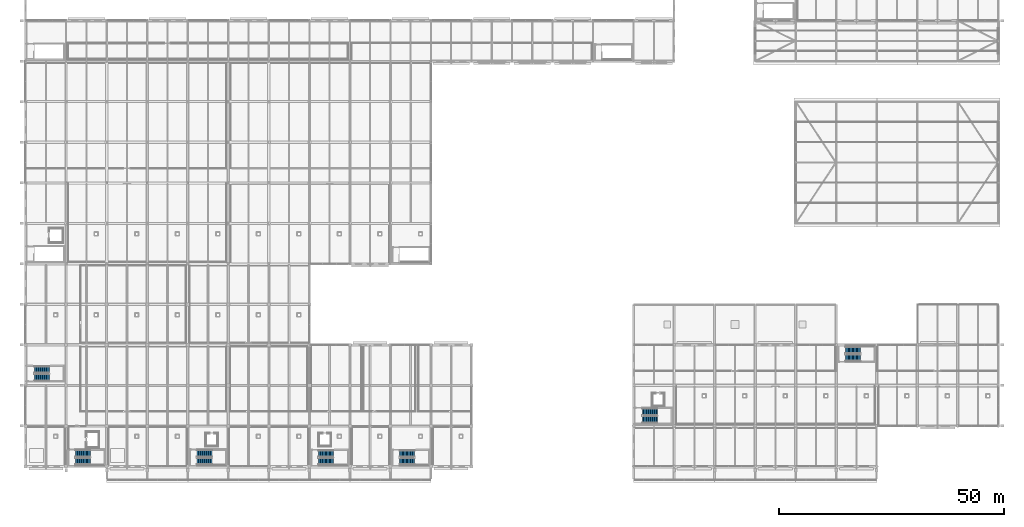
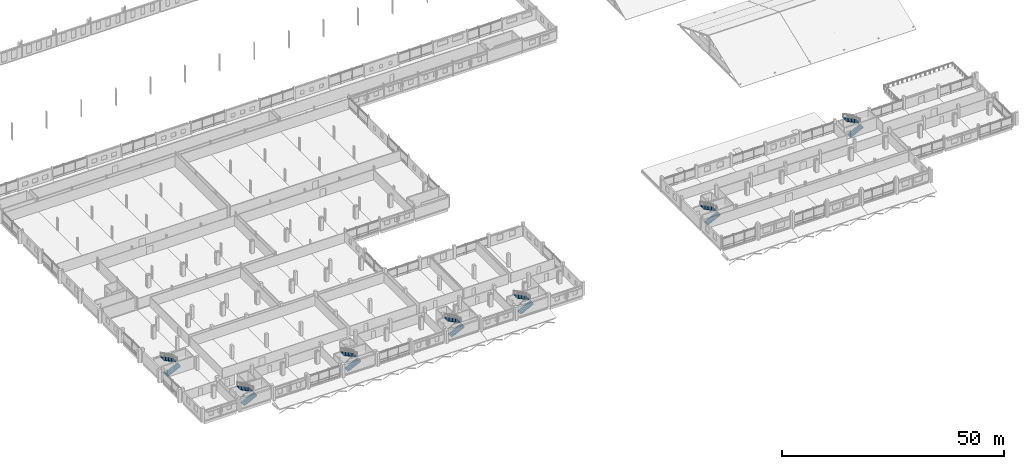
# One storey, part 118 of 132: 14 stair flights, 7 elements without a shape of their own.
"""IFC4 building model written with IfcOpenShell, lengths in metres."""

from ifc_helpers import new_model, si_unit, direction, frame, origin, place, context, subcontext, project, spatial, polyline, outline, extrude, material, type_object, element, aggregate, save


model = new_model("IFC4")

# Units and contexts
model_context = context("Model", 3, precision=1e-05, world=origin(), true_north=direction((0.0, 1.0)))
body_context = subcontext(model_context, "Body", "Model", "MODEL_VIEW")
ifc_project = project(units=[si_unit("LENGTHUNIT", "METRE"), si_unit("AREAUNIT", "SQUARE_METRE"), si_unit("VOLUMEUNIT", "CUBIC_METRE"), si_unit("PLANEANGLEUNIT", "RADIAN"), si_unit("MASSUNIT", "GRAM", prefix="KILO")], contexts=[model_context])

# Site, building, storey
site_placement = place(None, origin())
site = spatial("IfcSite", under=ifc_project, at=site_placement, CompositionType="ELEMENT")
building_placement = place(site_placement, origin())
building = spatial("IfcBuilding", under=site, at=building_placement, Name="Tharagai Park Tramway Depot", CompositionType="ELEMENT")
storey_placement = place(building_placement, frame((0.0, 0.0, 4.800048828125)))
storey = spatial("IfcBuildingStorey", under=building, at=storey_placement, Name="L01", CompositionType="ELEMENT", Elevation=4.800048828125)

# Stair, stair flights
ifc_material = material(Name="Concrete M35", Category="concrete")
stair_type = type_object("IfcStairType", Name="STT-02", PredefinedType="HALF_TURN_STAIR", material=ifc_material)
stair_1_placement = place(storey_placement, origin())
stair_1 = element("IfcStair", 1, at=stair_1_placement, inside=storey, type_object=stair_type, Name="L01 Protected Exit Stair ST-01", PredefinedType="HALF_TURN_STAIR")
stair_flight_type = type_object("IfcStairFlightType", Name="SFT-02", PredefinedType="STRAIGHT", material=ifc_material)
stair_flight_1_placement = place(storey_placement, frame((11.070068359375, 1.175048828125, 0.0), z_axis=(0.0, 0.0, 1.0), x_axis=(1.0, 0.0, 0.0)))
stair_flight_1 = element("IfcStairFlight", 2, at=stair_flight_1_placement, type_object=stair_flight_type, Name="ST-01 flight 1", NumberOfRisers=12, NumberOfTreads=11, PredefinedType="STRAIGHT", RiserHeight=0.15, TreadLength=0.3, context=body_context, shape_type="SweptSolid", body=[
    extrude(outline(polyline([(-0.02490234375, 0.0), (0.0, 0.14990234375), (0.300048828125, 0.14990234375), (0.300048828125, 0.300048828125), (0.60009765625, 0.300048828125), (0.60009765625, 0.449951171875), (0.89990234375, 0.449951171875), (0.89990234375, 0.60009765625), (1.199951171875, 0.60009765625), (1.199951171875, 0.75), (1.5, 0.75), (1.5, 0.89990234375), (1.800048828125, 0.89990234375), (1.800048828125, 1.050048828125), (2.10009765625, 1.050048828125), (2.10009765625, 1.199951171875), (2.39990234375, 1.199951171875), (2.39990234375, 1.35009765625), (2.699951171875, 1.35009765625), (2.699951171875, 1.5), (3.0, 1.5), (3.0, 1.64990234375), (3.300048828125, 1.64990234375), (3.300048828125, 1.800048828125), (3.324951171875, 1.800048828125), (3.324951171875, 1.482421875), (0.335205078125, 0.0), (-0.02490234375, -0.0400390625), (-0.02490234375, 0.0)])), frame((0.0, 0.77490234375, 0.0), z_axis=(0.0, -1.0, 0.0), x_axis=(1.0, 0.0, 0.0)), (0.0, 0.0, 1.0), 1.550048828125),
])
stair_flight_2_placement = place(storey_placement, frame((14.3701171875, 2.875, 1.800048828125), z_axis=(0.0, 0.0, 1.0), x_axis=(-1.0, 0.0, 0.0)))
stair_flight_2 = element("IfcStairFlight", 3, at=stair_flight_2_placement, type_object=stair_flight_type, Name="ST-01 flight 2", NumberOfRisers=12, NumberOfTreads=11, PredefinedType="STRAIGHT", RiserHeight=0.15, TreadLength=0.3, context=body_context, shape_type="SweptSolid", body=[
    extrude(outline(polyline([(-0.02490234375, 0.0), (0.0, 0.14990234375), (0.300048828125, 0.14990234375), (0.300048828125, 0.300048828125), (0.60009765625, 0.300048828125), (0.60009765625, 0.449951171875), (0.89990234375, 0.449951171875), (0.89990234375, 0.60009765625), (1.199951171875, 0.60009765625), (1.199951171875, 0.75), (1.5, 0.75), (1.5, 0.89990234375), (1.800048828125, 0.89990234375), (1.800048828125, 1.050048828125), (2.10009765625, 1.050048828125), (2.10009765625, 1.199951171875), (2.39990234375, 1.199951171875), (2.39990234375, 1.35009765625), (2.699951171875, 1.35009765625), (2.699951171875, 1.5), (3.0, 1.5), (3.0, 1.64990234375), (3.300048828125, 1.64990234375), (3.300048828125, 1.800048828125), (3.324951171875, 1.800048828125), (3.324951171875, 1.482421875), (0.335205078125, 0.0), (-0.02490234375, -0.0400390625), (-0.02490234375, 0.0)])), frame((0.0, 0.77490234375, 0.0), z_axis=(0.0, -1.0, 0.0), x_axis=(1.0, 0.0, 0.0)), (0.0, 0.0, 1.0), 1.550048828125),
])
aggregate(stair_1, [stair_flight_1, stair_flight_2])

stair_2_placement = place(storey_placement, origin())
stair_2 = element("IfcStair", 4, at=stair_2_placement, inside=storey, type_object=stair_type, Name="L01 Protected Exit Stair ST-02", PredefinedType="HALF_TURN_STAIR")
stair_flight_3_placement = place(storey_placement, frame((38.070068359375, 1.175048828125, 0.0), z_axis=(0.0, 0.0, 1.0), x_axis=(1.0, 0.0, 0.0)))
stair_flight_3 = element("IfcStairFlight", 5, at=stair_flight_3_placement, type_object=stair_flight_type, Name="ST-02 flight 1", NumberOfRisers=12, NumberOfTreads=11, PredefinedType="STRAIGHT", RiserHeight=0.15, TreadLength=0.3, context=body_context, shape_type="SweptSolid", body=[
    extrude(outline(polyline([(-0.02490234375, 0.0), (0.0, 0.14990234375), (0.300048828125, 0.14990234375), (0.300048828125, 0.300048828125), (0.60009765625, 0.300048828125), (0.60009765625, 0.449951171875), (0.89990234375, 0.449951171875), (0.89990234375, 0.60009765625), (1.199951171875, 0.60009765625), (1.199951171875, 0.75), (1.5, 0.75), (1.5, 0.89990234375), (1.800048828125, 0.89990234375), (1.800048828125, 1.050048828125), (2.10009765625, 1.050048828125), (2.10009765625, 1.199951171875), (2.39990234375, 1.199951171875), (2.39990234375, 1.35009765625), (2.699951171875, 1.35009765625), (2.699951171875, 1.5), (3.0, 1.5), (3.0, 1.64990234375), (3.300048828125, 1.64990234375), (3.300048828125, 1.800048828125), (3.324951171875, 1.800048828125), (3.324951171875, 1.482421875), (0.335205078125, 0.0), (-0.02490234375, -0.0400390625), (-0.02490234375, 0.0)])), frame((0.0, 0.77490234375, 0.0), z_axis=(0.0, -1.0, 0.0), x_axis=(1.0, 0.0, 0.0)), (0.0, 0.0, 1.0), 1.550048828125),
])
stair_flight_4_placement = place(storey_placement, frame((41.3701171875, 2.875, 1.800048828125), z_axis=(0.0, 0.0, 1.0), x_axis=(-1.0, 0.0, 0.0)))
stair_flight_4 = element("IfcStairFlight", 6, at=stair_flight_4_placement, type_object=stair_flight_type, Name="ST-02 flight 2", NumberOfRisers=12, NumberOfTreads=11, PredefinedType="STRAIGHT", RiserHeight=0.15, TreadLength=0.3, context=body_context, shape_type="SweptSolid", body=[
    extrude(outline(polyline([(-0.02490234375, 0.0), (0.0, 0.14990234375), (0.300048828125, 0.14990234375), (0.300048828125, 0.300048828125), (0.60009765625, 0.300048828125), (0.60009765625, 0.449951171875), (0.89990234375, 0.449951171875), (0.89990234375, 0.60009765625), (1.199951171875, 0.60009765625), (1.199951171875, 0.75), (1.5, 0.75), (1.5, 0.89990234375), (1.800048828125, 0.89990234375), (1.800048828125, 1.050048828125), (2.10009765625, 1.050048828125), (2.10009765625, 1.199951171875), (2.39990234375, 1.199951171875), (2.39990234375, 1.35009765625), (2.699951171875, 1.35009765625), (2.699951171875, 1.5), (3.0, 1.5), (3.0, 1.64990234375), (3.300048828125, 1.64990234375), (3.300048828125, 1.800048828125), (3.324951171875, 1.800048828125), (3.324951171875, 1.482421875), (0.335205078125, 0.0), (-0.02490234375, -0.0400390625), (-0.02490234375, 0.0)])), frame((0.0, 0.77490234375, 0.0), z_axis=(0.0, -1.0, 0.0), x_axis=(1.0, 0.0, 0.0)), (0.0, 0.0, 1.0), 1.550048828125),
])
aggregate(stair_2, [stair_flight_3, stair_flight_4])

stair_3_placement = place(storey_placement, origin())
stair_3 = element("IfcStair", 7, at=stair_3_placement, inside=storey, type_object=stair_type, Name="L01 Protected Exit Stair ST-03", PredefinedType="HALF_TURN_STAIR")
stair_flight_5_placement = place(storey_placement, frame((1.949951171875, 19.77490234375, 0.0), z_axis=(0.0, 0.0, 1.0), x_axis=(1.0, 0.0, 0.0)))
stair_flight_5 = element("IfcStairFlight", 8, at=stair_flight_5_placement, type_object=stair_flight_type, Name="ST-03 flight 1", NumberOfRisers=12, NumberOfTreads=11, PredefinedType="STRAIGHT", RiserHeight=0.15, TreadLength=0.3, context=body_context, shape_type="SweptSolid", body=[
    extrude(outline(polyline([(-0.02490234375, 0.0), (0.0, 0.14990234375), (0.300048828125, 0.14990234375), (0.300048828125, 0.300048828125), (0.60009765625, 0.300048828125), (0.60009765625, 0.449951171875), (0.89990234375, 0.449951171875), (0.89990234375, 0.60009765625), (1.199951171875, 0.60009765625), (1.199951171875, 0.75), (1.5, 0.75), (1.5, 0.89990234375), (1.800048828125, 0.89990234375), (1.800048828125, 1.050048828125), (2.10009765625, 1.050048828125), (2.10009765625, 1.199951171875), (2.39990234375, 1.199951171875), (2.39990234375, 1.35009765625), (2.699951171875, 1.35009765625), (2.699951171875, 1.5), (3.0, 1.5), (3.0, 1.64990234375), (3.300048828125, 1.64990234375), (3.300048828125, 1.800048828125), (3.324951171875, 1.800048828125), (3.324951171875, 1.482421875), (0.335205078125, 0.0), (-0.02490234375, -0.0400390625), (-0.02490234375, 0.0)])), frame((0.0, 0.77490234375, 0.0), z_axis=(0.0, -1.0, 0.0), x_axis=(1.0, 0.0, 0.0)), (0.0, 0.0, 1.0), 1.550048828125),
])
stair_flight_6_placement = place(storey_placement, frame((5.25, 21.47509765625, 1.800048828125), z_axis=(0.0, 0.0, 1.0), x_axis=(-1.0, 0.0, 0.0)))
stair_flight_6 = element("IfcStairFlight", 9, at=stair_flight_6_placement, type_object=stair_flight_type, Name="ST-03 flight 2", NumberOfRisers=12, NumberOfTreads=11, PredefinedType="STRAIGHT", RiserHeight=0.15, TreadLength=0.3, context=body_context, shape_type="SweptSolid", body=[
    extrude(outline(polyline([(-0.02490234375, 0.0), (0.0, 0.14990234375), (0.300048828125, 0.14990234375), (0.300048828125, 0.300048828125), (0.60009765625, 0.300048828125), (0.60009765625, 0.449951171875), (0.89990234375, 0.449951171875), (0.89990234375, 0.60009765625), (1.199951171875, 0.60009765625), (1.199951171875, 0.75), (1.5, 0.75), (1.5, 0.89990234375), (1.800048828125, 0.89990234375), (1.800048828125, 1.050048828125), (2.10009765625, 1.050048828125), (2.10009765625, 1.199951171875), (2.39990234375, 1.199951171875), (2.39990234375, 1.35009765625), (2.699951171875, 1.35009765625), (2.699951171875, 1.5), (3.0, 1.5), (3.0, 1.64990234375), (3.300048828125, 1.64990234375), (3.300048828125, 1.800048828125), (3.324951171875, 1.800048828125), (3.324951171875, 1.482421875), (0.335205078125, 0.0), (-0.02490234375, -0.0400390625), (-0.02490234375, 0.0)])), frame((0.0, 0.77490234375, 0.0), z_axis=(0.0, -1.0, 0.0), x_axis=(1.0, 0.0, 0.0)), (0.0, 0.0, 1.0), 1.550048828125),
])
aggregate(stair_3, [stair_flight_5, stair_flight_6])

stair_4_placement = place(storey_placement, origin())
stair_4 = element("IfcStair", 10, at=stair_4_placement, inside=storey, type_object=stair_type, Name="L01 Protected Exit Stair ST-04", PredefinedType="HALF_TURN_STAIR")
stair_flight_7_placement = place(storey_placement, frame((65.0400390625, 1.159912109375, 0.0), z_axis=(0.0, 0.0, 1.0), x_axis=(1.0, 0.0, 0.0)))
stair_flight_7 = element("IfcStairFlight", 11, at=stair_flight_7_placement, type_object=stair_flight_type, Name="ST-04 flight 1", NumberOfRisers=12, NumberOfTreads=11, PredefinedType="STRAIGHT", RiserHeight=0.15, TreadLength=0.3, context=body_context, shape_type="SweptSolid", body=[
    extrude(outline(polyline([(-0.02490234375, 0.0), (0.0, 0.14990234375), (0.300048828125, 0.14990234375), (0.300048828125, 0.300048828125), (0.60009765625, 0.300048828125), (0.60009765625, 0.449951171875), (0.89990234375, 0.449951171875), (0.89990234375, 0.60009765625), (1.199951171875, 0.60009765625), (1.199951171875, 0.75), (1.5, 0.75), (1.5, 0.89990234375), (1.800048828125, 0.89990234375), (1.800048828125, 1.050048828125), (2.10009765625, 1.050048828125), (2.10009765625, 1.199951171875), (2.39990234375, 1.199951171875), (2.39990234375, 1.35009765625), (2.699951171875, 1.35009765625), (2.699951171875, 1.5), (3.0, 1.5), (3.0, 1.64990234375), (3.300048828125, 1.64990234375), (3.300048828125, 1.800048828125), (3.324951171875, 1.800048828125), (3.324951171875, 1.482421875), (0.335205078125, 0.0), (-0.02490234375, -0.0400390625), (-0.02490234375, 0.0)])), frame((0.0, 0.760009765625, 0.0), z_axis=(0.0, -1.0, 0.0), x_axis=(1.0, 0.0, 0.0)), (0.0, 0.0, 1.0), 1.52001953125),
])
stair_flight_8_placement = place(storey_placement, frame((68.340087890625, 2.830078125, 1.800048828125), z_axis=(0.0, 0.0, 1.0), x_axis=(-1.0, 0.0, 0.0)))
stair_flight_8 = element("IfcStairFlight", 12, at=stair_flight_8_placement, type_object=stair_flight_type, Name="ST-04 flight 2", NumberOfRisers=12, NumberOfTreads=11, PredefinedType="STRAIGHT", RiserHeight=0.15, TreadLength=0.3, context=body_context, shape_type="SweptSolid", body=[
    extrude(outline(polyline([(-0.02490234375, 0.0), (0.0, 0.14990234375), (0.300048828125, 0.14990234375), (0.300048828125, 0.300048828125), (0.60009765625, 0.300048828125), (0.60009765625, 0.449951171875), (0.89990234375, 0.449951171875), (0.89990234375, 0.60009765625), (1.199951171875, 0.60009765625), (1.199951171875, 0.75), (1.5, 0.75), (1.5, 0.89990234375), (1.800048828125, 0.89990234375), (1.800048828125, 1.050048828125), (2.10009765625, 1.050048828125), (2.10009765625, 1.199951171875), (2.39990234375, 1.199951171875), (2.39990234375, 1.35009765625), (2.699951171875, 1.35009765625), (2.699951171875, 1.5), (3.0, 1.5), (3.0, 1.64990234375), (3.300048828125, 1.64990234375), (3.300048828125, 1.800048828125), (3.324951171875, 1.800048828125), (3.324951171875, 1.482421875), (0.335205078125, 0.0), (-0.02490234375, -0.0400390625), (-0.02490234375, 0.0)])), frame((0.0, 0.760009765625, 0.0), z_axis=(0.0, -1.0, 0.0), x_axis=(1.0, 0.0, 0.0)), (0.0, 0.0, 1.0), 1.52001953125),
])
aggregate(stair_4, [stair_flight_7, stair_flight_8])

stair_5_placement = place(storey_placement, origin())
stair_5 = element("IfcStair", 13, at=stair_5_placement, inside=storey, type_object=stair_type, Name="L01 Protected Exit Stair ST-05", PredefinedType="HALF_TURN_STAIR")
stair_flight_9_placement = place(storey_placement, frame((83.0400390625, 1.159912109375, 0.0), z_axis=(0.0, 0.0, 1.0), x_axis=(1.0, 0.0, 0.0)))
stair_flight_9 = element("IfcStairFlight", 14, at=stair_flight_9_placement, type_object=stair_flight_type, Name="ST-05 flight 1", NumberOfRisers=12, NumberOfTreads=11, PredefinedType="STRAIGHT", RiserHeight=0.15, TreadLength=0.3, context=body_context, shape_type="SweptSolid", body=[
    extrude(outline(polyline([(-0.02490234375, 0.0), (0.0, 0.14990234375), (0.300048828125, 0.14990234375), (0.300048828125, 0.300048828125), (0.60009765625, 0.300048828125), (0.60009765625, 0.449951171875), (0.89990234375, 0.449951171875), (0.89990234375, 0.60009765625), (1.199951171875, 0.60009765625), (1.199951171875, 0.75), (1.5, 0.75), (1.5, 0.89990234375), (1.800048828125, 0.89990234375), (1.800048828125, 1.050048828125), (2.10009765625, 1.050048828125), (2.10009765625, 1.199951171875), (2.39990234375, 1.199951171875), (2.39990234375, 1.35009765625), (2.699951171875, 1.35009765625), (2.699951171875, 1.5), (3.0, 1.5), (3.0, 1.64990234375), (3.300048828125, 1.64990234375), (3.300048828125, 1.800048828125), (3.324951171875, 1.800048828125), (3.324951171875, 1.482421875), (0.335205078125, 0.0), (-0.02490234375, -0.0400390625), (-0.02490234375, 0.0)])), frame((0.0, 0.760009765625, 0.0), z_axis=(0.0, -1.0, 0.0), x_axis=(1.0, 0.0, 0.0)), (0.0, 0.0, 1.0), 1.52001953125),
])
stair_flight_10_placement = place(storey_placement, frame((86.340087890625, 2.830078125, 1.800048828125), z_axis=(0.0, 0.0, 1.0), x_axis=(-1.0, 0.0, 0.0)))
stair_flight_10 = element("IfcStairFlight", 15, at=stair_flight_10_placement, type_object=stair_flight_type, Name="ST-05 flight 2", NumberOfRisers=12, NumberOfTreads=11, PredefinedType="STRAIGHT", RiserHeight=0.15, TreadLength=0.3, context=body_context, shape_type="SweptSolid", body=[
    extrude(outline(polyline([(-0.02490234375, 0.0), (0.0, 0.14990234375), (0.300048828125, 0.14990234375), (0.300048828125, 0.300048828125), (0.60009765625, 0.300048828125), (0.60009765625, 0.449951171875), (0.89990234375, 0.449951171875), (0.89990234375, 0.60009765625), (1.199951171875, 0.60009765625), (1.199951171875, 0.75), (1.5, 0.75), (1.5, 0.89990234375), (1.800048828125, 0.89990234375), (1.800048828125, 1.050048828125), (2.10009765625, 1.050048828125), (2.10009765625, 1.199951171875), (2.39990234375, 1.199951171875), (2.39990234375, 1.35009765625), (2.699951171875, 1.35009765625), (2.699951171875, 1.5), (3.0, 1.5), (3.0, 1.64990234375), (3.300048828125, 1.64990234375), (3.300048828125, 1.800048828125), (3.324951171875, 1.800048828125), (3.324951171875, 1.482421875), (0.335205078125, 0.0), (-0.02490234375, -0.0400390625), (-0.02490234375, 0.0)])), frame((0.0, 0.760009765625, 0.0), z_axis=(0.0, -1.0, 0.0), x_axis=(1.0, 0.0, 0.0)), (0.0, 0.0, 1.0), 1.52001953125),
])
aggregate(stair_5, [stair_flight_9, stair_flight_10])

stair_6_placement = place(storey_placement, origin())
stair_6 = element("IfcStair", 16, at=stair_6_placement, inside=storey, type_object=stair_type, Name="L01 Protected Exit Stair ST-06", PredefinedType="HALF_TURN_STAIR")
stair_flight_11_placement = place(storey_placement, frame((136.949951171875, 10.425048828125, 0.0), z_axis=(0.0, 0.0, 1.0), x_axis=(1.0, 0.0, 0.0)))
stair_flight_11 = element("IfcStairFlight", 17, at=stair_flight_11_placement, type_object=stair_flight_type, Name="ST-06 flight 1", NumberOfRisers=12, NumberOfTreads=11, PredefinedType="STRAIGHT", RiserHeight=0.15, TreadLength=0.3, context=body_context, shape_type="SweptSolid", body=[
    extrude(outline(polyline([(-0.02490234375, 0.0), (0.0, 0.14990234375), (0.300048828125, 0.14990234375), (0.300048828125, 0.300048828125), (0.60009765625, 0.300048828125), (0.60009765625, 0.449951171875), (0.89990234375, 0.449951171875), (0.89990234375, 0.60009765625), (1.199951171875, 0.60009765625), (1.199951171875, 0.75), (1.5, 0.75), (1.5, 0.89990234375), (1.800048828125, 0.89990234375), (1.800048828125, 1.050048828125), (2.10009765625, 1.050048828125), (2.10009765625, 1.199951171875), (2.39990234375, 1.199951171875), (2.39990234375, 1.35009765625), (2.699951171875, 1.35009765625), (2.699951171875, 1.5), (3.0, 1.5), (3.0, 1.64990234375), (3.300048828125, 1.64990234375), (3.300048828125, 1.800048828125), (3.324951171875, 1.800048828125), (3.324951171875, 1.482421875), (0.335205078125, 0.0), (-0.02490234375, -0.0400390625), (-0.02490234375, 0.0)])), frame((0.0, 0.77490234375, 0.0), z_axis=(0.0, -1.0, 0.0), x_axis=(1.0, 0.0, 0.0)), (0.0, 0.0, 1.0), 1.550048828125),
])
stair_flight_12_placement = place(storey_placement, frame((140.25, 12.125, 1.800048828125), z_axis=(0.0, 0.0, 1.0), x_axis=(-1.0, 0.0, 0.0)))
stair_flight_12 = element("IfcStairFlight", 18, at=stair_flight_12_placement, type_object=stair_flight_type, Name="ST-06 flight 2", NumberOfRisers=12, NumberOfTreads=11, PredefinedType="STRAIGHT", RiserHeight=0.15, TreadLength=0.3, context=body_context, shape_type="SweptSolid", body=[
    extrude(outline(polyline([(-0.02490234375, 0.0), (0.0, 0.14990234375), (0.300048828125, 0.14990234375), (0.300048828125, 0.300048828125), (0.60009765625, 0.300048828125), (0.60009765625, 0.449951171875), (0.89990234375, 0.449951171875), (0.89990234375, 0.60009765625), (1.199951171875, 0.60009765625), (1.199951171875, 0.75), (1.5, 0.75), (1.5, 0.89990234375), (1.800048828125, 0.89990234375), (1.800048828125, 1.050048828125), (2.10009765625, 1.050048828125), (2.10009765625, 1.199951171875), (2.39990234375, 1.199951171875), (2.39990234375, 1.35009765625), (2.699951171875, 1.35009765625), (2.699951171875, 1.5), (3.0, 1.5), (3.0, 1.64990234375), (3.300048828125, 1.64990234375), (3.300048828125, 1.800048828125), (3.324951171875, 1.800048828125), (3.324951171875, 1.482421875), (0.335205078125, 0.0), (-0.02490234375, -0.0400390625), (-0.02490234375, 0.0)])), frame((0.0, 0.77490234375, 0.0), z_axis=(0.0, -1.0, 0.0), x_axis=(1.0, 0.0, 0.0)), (0.0, 0.0, 1.0), 1.550048828125),
])
aggregate(stair_6, [stair_flight_11, stair_flight_12])

stair_7_placement = place(storey_placement, origin())
stair_7 = element("IfcStair", 19, at=stair_7_placement, inside=storey, type_object=stair_type, Name="L01 Protected Exit Stair ST-07", PredefinedType="HALF_TURN_STAIR")
stair_flight_13_placement = place(storey_placement, frame((182.070068359375, 24.125, 0.0), z_axis=(0.0, 0.0, 1.0), x_axis=(1.0, 0.0, 0.0)))
stair_flight_13 = element("IfcStairFlight", 20, at=stair_flight_13_placement, type_object=stair_flight_type, Name="ST-07 flight 1", NumberOfRisers=12, NumberOfTreads=11, PredefinedType="STRAIGHT", RiserHeight=0.15, TreadLength=0.3, context=body_context, shape_type="SweptSolid", body=[
    extrude(outline(polyline([(-0.02490234375, 0.0), (0.0, 0.14990234375), (0.300048828125, 0.14990234375), (0.300048828125, 0.300048828125), (0.60009765625, 0.300048828125), (0.60009765625, 0.449951171875), (0.89990234375, 0.449951171875), (0.89990234375, 0.60009765625), (1.199951171875, 0.60009765625), (1.199951171875, 0.75), (1.5, 0.75), (1.5, 0.89990234375), (1.800048828125, 0.89990234375), (1.800048828125, 1.050048828125), (2.10009765625, 1.050048828125), (2.10009765625, 1.199951171875), (2.39990234375, 1.199951171875), (2.39990234375, 1.35009765625), (2.699951171875, 1.35009765625), (2.699951171875, 1.5), (3.0, 1.5), (3.0, 1.64990234375), (3.300048828125, 1.64990234375), (3.300048828125, 1.800048828125), (3.324951171875, 1.800048828125), (3.324951171875, 1.482421875), (0.335205078125, 0.0), (-0.02490234375, -0.0400390625), (-0.02490234375, 0.0)])), frame((0.0, 0.77490234375, 0.0), z_axis=(0.0, -1.0, 0.0), x_axis=(1.0, 0.0, 0.0)), (0.0, 0.0, 1.0), 1.550048828125),
])
stair_flight_14_placement = place(storey_placement, frame((185.3701171875, 25.824951171875, 1.800048828125), z_axis=(0.0, 0.0, 1.0), x_axis=(-1.0, 0.0, 0.0)))
stair_flight_14 = element("IfcStairFlight", 21, at=stair_flight_14_placement, type_object=stair_flight_type, Name="ST-07 flight 2", NumberOfRisers=12, NumberOfTreads=11, PredefinedType="STRAIGHT", RiserHeight=0.15, TreadLength=0.3, context=body_context, shape_type="SweptSolid", body=[
    extrude(outline(polyline([(-0.02490234375, 0.0), (0.0, 0.14990234375), (0.300048828125, 0.14990234375), (0.300048828125, 0.300048828125), (0.60009765625, 0.300048828125), (0.60009765625, 0.449951171875), (0.89990234375, 0.449951171875), (0.89990234375, 0.60009765625), (1.199951171875, 0.60009765625), (1.199951171875, 0.75), (1.5, 0.75), (1.5, 0.89990234375), (1.800048828125, 0.89990234375), (1.800048828125, 1.050048828125), (2.10009765625, 1.050048828125), (2.10009765625, 1.199951171875), (2.39990234375, 1.199951171875), (2.39990234375, 1.35009765625), (2.699951171875, 1.35009765625), (2.699951171875, 1.5), (3.0, 1.5), (3.0, 1.64990234375), (3.300048828125, 1.64990234375), (3.300048828125, 1.800048828125), (3.324951171875, 1.800048828125), (3.324951171875, 1.482421875), (0.335205078125, 0.0), (-0.02490234375, -0.0400390625), (-0.02490234375, 0.0)])), frame((0.0, 0.77490234375, 0.0), z_axis=(0.0, -1.0, 0.0), x_axis=(1.0, 0.0, 0.0)), (0.0, 0.0, 1.0), 1.550048828125),
])
aggregate(stair_7, [stair_flight_13, stair_flight_14])

save(model, "model.ifc")
